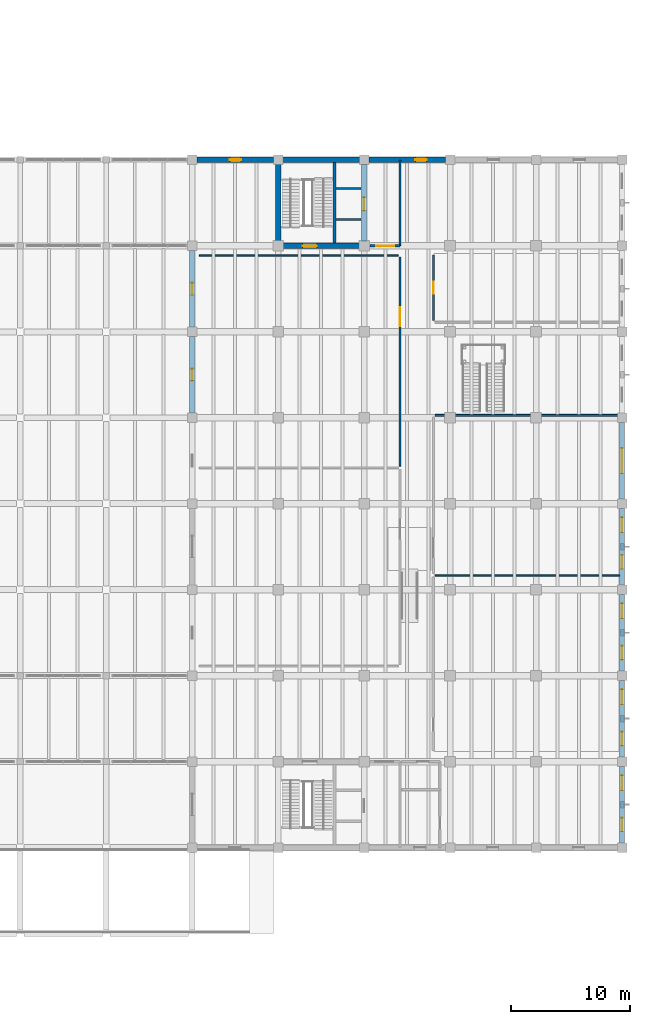
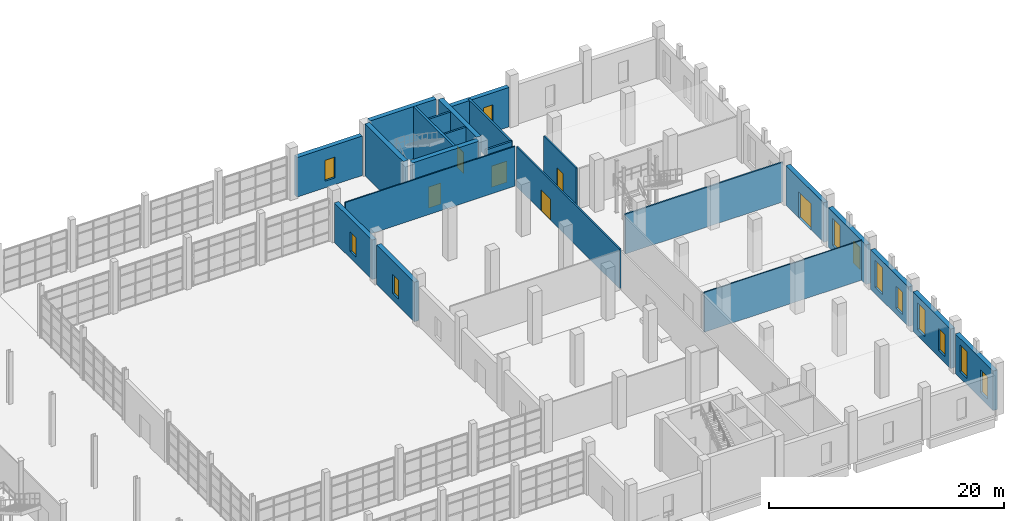
# One storey, part 71 of 79: 23 walls, 12 windows, 6 doors, 18 openings.
"""IFC4 building model written with IfcOpenShell, lengths in metres."""

from ifc_helpers import new_model, si_unit, direction, frame, frame_2d, origin, place, context, subcontext, project, spatial, rectangle, extrude, material, layer, layer_set, type_object, element, fill, save


model = new_model("IFC4")

# Units and contexts
model_context = context("Model", 3, precision=1e-05, world=origin(), true_north=direction((0.0, 1.0)))
body_context = subcontext(model_context, "Body", "Model", "MODEL_VIEW")
ifc_project = project(units=[si_unit("LENGTHUNIT", "METRE"), si_unit("AREAUNIT", "SQUARE_METRE"), si_unit("VOLUMEUNIT", "CUBIC_METRE"), si_unit("PLANEANGLEUNIT", "RADIAN"), si_unit("MASSUNIT", "GRAM", prefix="KILO")], contexts=[model_context])

# Site, building, storey
site_placement = place(None, origin())
site = spatial("IfcSite", under=ifc_project, at=site_placement, CompositionType="ELEMENT")
building_placement = place(site_placement, origin())
building = spatial("IfcBuilding", under=site, at=building_placement, Name="Qiaolan Assembly House", CompositionType="ELEMENT")
storey_placement = place(building_placement, origin())
storey = spatial("IfcBuildingStorey", under=building, at=storey_placement, Name="L00", CompositionType="ELEMENT", Elevation=0.0)

# Wall, opening, door
ifc_material_1 = material(Name="Concrete C50/60", Category="concrete")
ifc_layer_1 = layer(ifc_material_1, 0.449951171875)
ifc_layer_set_1 = layer_set([ifc_layer_1], Name="Concrete C50/60")
wall_type_1 = type_object("IfcWallType", Name="WAL-CORE-450", PredefinedType="SHEAR", material=ifc_layer_set_1)
wall_1_placement = place(storey_placement, frame((144.35009765625, 79.199951171875, 0.0), z_axis=(0.0, 0.0, 1.0), x_axis=(1.0, 0.0, 0.0)))
wall_1 = element("IfcWall", 1, at=wall_1_placement, inside=storey, type_object=wall_type_1, Name="CW-450 shear core wall CORE-F S L00", PredefinedType="SHEAR", context=body_context, shape_type="SweptSolid", body=[
    extrude(rectangle(XDim=6.5, YDim=0.449951171875, at=frame_2d((3.25, 0.0))), origin(), (0.0, 0.0, 1.0), 5.39990234375),
])
opening_1_placement = place(wall_1_placement, frame((1.699951171875, 0.0, 0.0)))
opening_1 = element("IfcOpeningElement", 2, at=opening_1_placement, cuts=wall_1, Name="Opening FD-127", PredefinedType="OPENING", context=body_context, shape_type="SweptSolid", body=[
    extrude(rectangle(XDim=1.199951171875, YDim=2.199951171875, at=frame_2d((0.60009765625, 1.10009765625))), frame((0.0, 0.23486328125, 0.0), z_axis=(0.0, -1.0, 0.0), x_axis=(1.0, 0.0, 0.0)), (0.0, 0.0, 1.0), 0.469970703125),
])
ifc_material_2 = material(Name="Steel Q355B", Category="steel")
door_type_1 = type_object("IfcDoorType", Name="DOR-FIRE-FD90-1200", OperationType="NOTDEFINED", PredefinedType="DOOR", material=ifc_material_2)
door_1_placement = place(opening_1_placement, frame((1.199951171875, 0.0, 0.0), z_axis=(0.0, 0.0, 1.0), x_axis=(-1.0, 0.0, 0.0)))
door_1 = element("IfcDoor", 3, at=door_1_placement, inside=storey, type_object=door_type_1, Name="Stairwell fire door FD-127 (CORE-F L00)", OperationType="SINGLE_SWING_LEFT", OverallHeight=2.199951171875, OverallWidth=1.199951171875, PredefinedType="DOOR", context=body_context, shape_type="SweptSolid", body=[
    extrude(rectangle(XDim=1.199951171875, YDim=2.199951171875, at=frame_2d((0.60009765625, 1.10009765625))), frame((0.0, 0.02490234375, 0.0), z_axis=(0.0, -1.0, 0.0), x_axis=(1.0, 0.0, 0.0)), (0.0, 0.0, 1.0), 0.050048828125),
])
fill(opening_1, door_1)

wall_2_placement = place(storey_placement, frame((151.199951171875, 79.550048828125, 0.0), z_axis=(0.0, 0.0, 1.0), x_axis=(0.0, 1.0, 0.0)))
wall_2 = element("IfcWall", 4, at=wall_2_placement, inside=storey, type_object=wall_type_1, Name="CW-450 shear core wall CORE-F E L00", PredefinedType="SHEAR", context=body_context, shape_type="SweptSolid", body=[
    extrude(rectangle(XDim=6.5, YDim=0.449951171875, at=frame_2d((3.25, 0.0))), origin(), (0.0, 0.0, 1.0), 5.39990234375),
])
opening_2_placement = place(wall_2_placement, frame((2.60009765625, 0.0, 0.0)))
opening_2 = element("IfcOpeningElement", 5, at=opening_2_placement, cuts=wall_2, Name="Opening LD-070", PredefinedType="OPENING", context=body_context, shape_type="SweptSolid", body=[
    extrude(rectangle(XDim=1.10009765625, YDim=2.199951171875, at=frame_2d((0.550048828125, 1.10009765625))), frame((0.0, 0.23486328125, 0.0), z_axis=(0.0, -1.0, 0.0), x_axis=(1.0, 0.0, 0.0)), (0.0, 0.0, 1.0), 0.469970703125),
])
ifc_material_3 = material(Name="Anodised bronze aluminium", Category="aluminium")
door_type_2 = type_object("IfcDoorType", Name="DOR-LIFT-LD1100", OperationType="SLIDING_TO_LEFT", PredefinedType="DOOR", material=ifc_material_3)
door_2_placement = place(opening_2_placement, origin())
door_2 = element("IfcDoor", 6, at=door_2_placement, inside=storey, type_object=door_type_2, Name="Lift landing door LD-070 (LF-10 L00)", OperationType="SLIDING_TO_LEFT", OverallHeight=2.199951171875, OverallWidth=1.10009765625, PredefinedType="DOOR", context=body_context, shape_type="SweptSolid", body=[
    extrude(rectangle(XDim=1.10009765625, YDim=2.199951171875, at=frame_2d((0.550048828125, 1.10009765625))), frame((0.0, 0.02490234375, 0.0), z_axis=(0.0, -1.0, 0.0), x_axis=(1.0, 0.0, 0.0)), (0.0, 0.0, 1.0), 0.050048828125),
])
fill(opening_2, door_2)

# Walls
for number, where, z_axis, x_axis, name in (
    (7, (150.85009765625, 86.39990234375, 0.0), (0.0, 0.0, 1.0), (-1.0, 0.0, 0.0), "CW-450 shear core wall CORE-F N L00"),
    (8, (144.0, 86.050048828125, 0.0), (0.0, 0.0, 1.0), (0.0, -1.0, 0.0), "CW-450 shear core wall CORE-F W L00"),
):
    element("IfcWall", number, at=place(storey_placement, frame(where, z_axis=z_axis, x_axis=x_axis)), inside=storey, type_object=wall_type_1, Name=name, PredefinedType="SHEAR", context=body_context, shape_type="SweptSolid", body=[
        extrude(rectangle(XDim=6.5, YDim=0.449951171875, at=frame_2d((3.25, 0.0))), origin(), (0.0, 0.0, 1.0), 5.39990234375),
    ])

# Wall, openings, windows
ifc_material_4 = material(Name="Honed pale limestone", Category="masonry")
ifc_layer_2 = layer(ifc_material_4, 0.43505859375)
ifc_layer_set_2 = layer_set([ifc_layer_2], Name="Honed pale limestone")
wall_type_2 = type_object("IfcWallType", Name="WAL-EXT-RUSTIC-420", PredefinedType="SOLIDWALL", material=ifc_layer_set_2)
wall_3_placement = place(storey_placement, frame((172.800048828125, 35.60205078125, 0.0), z_axis=(0.0, 0.0, 1.0), x_axis=(0.0, -1.0, 0.0)))
wall_3 = element("IfcWall", 9, at=wall_3_placement, inside=storey, type_object=wall_type_2, Name="Library East avenue wall L00-1", PredefinedType="SOLIDWALL", context=body_context, shape_type="SweptSolid", body=[
    extrude(rectangle(XDim=6.404052734375, YDim=0.43505859375, at=frame_2d((3.2021484375, 0.0))), origin(), (0.0, 0.0, 1.0), 4.10009765625),
])
opening_3_placement = place(wall_3_placement, frame((0.751953125, 0.0, 0.64990234375)))
opening_3 = element("IfcOpeningElement", 10, at=opening_3_placement, cuts=wall_3, Name="Opening WN-400", PredefinedType="OPENING", context=body_context, shape_type="SweptSolid", body=[
    extrude(rectangle(XDim=1.25, YDim=2.800048828125, at=frame_2d((0.625, 1.39990234375))), frame((0.0, 0.2275390625, 0.0), z_axis=(0.0, -1.0, 0.0), x_axis=(1.0, 0.0, 0.0)), (0.0, 0.0, 1.0), 0.455078125),
])
opening_4_placement = place(wall_3_placement, frame((4.302001953125, 0.0, 0.64990234375)))
opening_4 = element("IfcOpeningElement", 11, at=opening_4_placement, cuts=wall_3, Name="Opening WN-401", PredefinedType="OPENING", context=body_context, shape_type="SweptSolid", body=[
    extrude(rectangle(XDim=1.14990234375, YDim=2.300048828125, at=frame_2d((0.574951171875, 1.14990234375))), frame((0.0, 0.2275390625, 0.0), z_axis=(0.0, -1.0, 0.0), x_axis=(1.0, 0.0, 0.0)), (0.0, 0.0, 1.0), 0.455078125),
])
ifc_material_5 = material(Name="Low-E double insulating glass", Category="glass")
window_type_1 = type_object("IfcWindowType", Name="WIN-LIB-1250x2800", PartitioningType="DOUBLE_PANEL_VERTICAL", PredefinedType="WINDOW", material=ifc_material_5)
window_1_placement = place(opening_3_placement, origin())
window_1 = element("IfcWindow", 12, at=window_1_placement, inside=storey, type_object=window_type_1, Name="Library reading window WN-400", OverallHeight=2.800048828125, OverallWidth=1.25, PartitioningType="DOUBLE_PANEL_VERTICAL", PredefinedType="WINDOW", context=body_context, shape_type="SweptSolid", body=[
    extrude(rectangle(XDim=1.25, YDim=2.800048828125, at=frame_2d((0.625, 1.39990234375))), frame((0.0, 0.030029296875, 0.0), z_axis=(0.0, -1.0, 0.0), x_axis=(1.0, 0.0, 0.0)), (0.0, 0.0, 1.0), 0.06005859375),
])
fill(opening_3, window_1)
window_type_2 = type_object("IfcWindowType", Name="WIN-LIB-CARREL-1150x2300", PartitioningType="SINGLE_PANEL", PredefinedType="WINDOW", material=ifc_material_5)
window_2_placement = place(opening_4_placement, origin())
window_2 = element("IfcWindow", 13, at=window_2_placement, inside=storey, type_object=window_type_2, Name="Library reading window WN-401", OverallHeight=2.300048828125, OverallWidth=1.14990234375, PartitioningType="SINGLE_PANEL", PredefinedType="WINDOW", context=body_context, shape_type="SweptSolid", body=[
    extrude(rectangle(XDim=1.14990234375, YDim=2.300048828125, at=frame_2d((0.574951171875, 1.14990234375))), frame((0.0, 0.030029296875, 0.0), z_axis=(0.0, -1.0, 0.0), x_axis=(1.0, 0.0, 0.0)), (0.0, 0.0, 1.0), 0.06005859375),
])
fill(opening_4, window_2)

wall_4_placement = place(storey_placement, frame((172.800048828125, 42.802001953125, 0.0), z_axis=(0.0, 0.0, 1.0), x_axis=(0.0, -1.0, 0.0)))
wall_4 = element("IfcWall", 14, at=wall_4_placement, inside=storey, type_object=wall_type_2, Name="Library East avenue wall L00-2", PredefinedType="SOLIDWALL", context=body_context, shape_type="SweptSolid", body=[
    extrude(rectangle(XDim=6.404052734375, YDim=0.43505859375, at=frame_2d((3.2021484375, 0.0))), origin(), (0.0, 0.0, 1.0), 4.10009765625),
])
opening_5_placement = place(wall_4_placement, frame((0.751953125, 0.0, 0.64990234375)))
opening_5 = element("IfcOpeningElement", 15, at=opening_5_placement, cuts=wall_4, Name="Opening WN-402", PredefinedType="OPENING", context=body_context, shape_type="SweptSolid", body=[
    extrude(rectangle(XDim=1.25, YDim=2.800048828125, at=frame_2d((0.625, 1.39990234375))), frame((0.0, 0.2275390625, 0.0), z_axis=(0.0, -1.0, 0.0), x_axis=(1.0, 0.0, 0.0)), (0.0, 0.0, 1.0), 0.455078125),
])
opening_6_placement = place(wall_4_placement, frame((4.302001953125, 0.0, 0.64990234375)))
opening_6 = element("IfcOpeningElement", 16, at=opening_6_placement, cuts=wall_4, Name="Opening WN-403", PredefinedType="OPENING", context=body_context, shape_type="SweptSolid", body=[
    extrude(rectangle(XDim=1.14990234375, YDim=2.300048828125, at=frame_2d((0.574951171875, 1.14990234375))), frame((0.0, 0.2275390625, 0.0), z_axis=(0.0, -1.0, 0.0), x_axis=(1.0, 0.0, 0.0)), (0.0, 0.0, 1.0), 0.455078125),
])
window_3_placement = place(opening_5_placement, origin())
window_3 = element("IfcWindow", 17, at=window_3_placement, inside=storey, type_object=window_type_1, Name="Library reading window WN-402", OverallHeight=2.800048828125, OverallWidth=1.25, PartitioningType="DOUBLE_PANEL_VERTICAL", PredefinedType="WINDOW", context=body_context, shape_type="SweptSolid", body=[
    extrude(rectangle(XDim=1.25, YDim=2.800048828125, at=frame_2d((0.625, 1.39990234375))), frame((0.0, 0.030029296875, 0.0), z_axis=(0.0, -1.0, 0.0), x_axis=(1.0, 0.0, 0.0)), (0.0, 0.0, 1.0), 0.06005859375),
])
fill(opening_5, window_3)
window_4_placement = place(opening_6_placement, origin())
window_4 = element("IfcWindow", 18, at=window_4_placement, inside=storey, type_object=window_type_2, Name="Library reading window WN-403", OverallHeight=2.300048828125, OverallWidth=1.14990234375, PartitioningType="SINGLE_PANEL", PredefinedType="WINDOW", context=body_context, shape_type="SweptSolid", body=[
    extrude(rectangle(XDim=1.14990234375, YDim=2.300048828125, at=frame_2d((0.574951171875, 1.14990234375))), frame((0.0, 0.030029296875, 0.0), z_axis=(0.0, -1.0, 0.0), x_axis=(1.0, 0.0, 0.0)), (0.0, 0.0, 1.0), 0.06005859375),
])
fill(opening_6, window_4)

wall_5_placement = place(storey_placement, frame((172.800048828125, 50.001953125, 0.0), z_axis=(0.0, 0.0, 1.0), x_axis=(0.0, -1.0, 0.0)))
wall_5 = element("IfcWall", 19, at=wall_5_placement, inside=storey, type_object=wall_type_2, Name="Library East avenue wall L00-3", PredefinedType="SOLIDWALL", context=body_context, shape_type="SweptSolid", body=[
    extrude(rectangle(XDim=6.404052734375, YDim=0.43505859375, at=frame_2d((3.2021484375, 0.0))), origin(), (0.0, 0.0, 1.0), 4.10009765625),
])
opening_7_placement = place(wall_5_placement, frame((0.751953125, 0.0, 0.64990234375)))
opening_7 = element("IfcOpeningElement", 20, at=opening_7_placement, cuts=wall_5, Name="Opening WN-404", PredefinedType="OPENING", context=body_context, shape_type="SweptSolid", body=[
    extrude(rectangle(XDim=1.25, YDim=2.800048828125, at=frame_2d((0.625, 1.39990234375))), frame((0.0, 0.2275390625, 0.0), z_axis=(0.0, -1.0, 0.0), x_axis=(1.0, 0.0, 0.0)), (0.0, 0.0, 1.0), 0.455078125),
])
opening_8_placement = place(wall_5_placement, frame((4.302001953125, 0.0, 0.64990234375)))
opening_8 = element("IfcOpeningElement", 21, at=opening_8_placement, cuts=wall_5, Name="Opening WN-405", PredefinedType="OPENING", context=body_context, shape_type="SweptSolid", body=[
    extrude(rectangle(XDim=1.14990234375, YDim=2.300048828125, at=frame_2d((0.574951171875, 1.14990234375))), frame((0.0, 0.2275390625, 0.0), z_axis=(0.0, -1.0, 0.0), x_axis=(1.0, 0.0, 0.0)), (0.0, 0.0, 1.0), 0.455078125),
])
window_5_placement = place(opening_7_placement, origin())
window_5 = element("IfcWindow", 22, at=window_5_placement, inside=storey, type_object=window_type_1, Name="Library reading window WN-404", OverallHeight=2.800048828125, OverallWidth=1.25, PartitioningType="DOUBLE_PANEL_VERTICAL", PredefinedType="WINDOW", context=body_context, shape_type="SweptSolid", body=[
    extrude(rectangle(XDim=1.25, YDim=2.800048828125, at=frame_2d((0.625, 1.39990234375))), frame((0.0, 0.030029296875, 0.0), z_axis=(0.0, -1.0, 0.0), x_axis=(1.0, 0.0, 0.0)), (0.0, 0.0, 1.0), 0.06005859375),
])
fill(opening_7, window_5)
window_6_placement = place(opening_8_placement, origin())
window_6 = element("IfcWindow", 23, at=window_6_placement, inside=storey, type_object=window_type_2, Name="Library reading window WN-405", OverallHeight=2.300048828125, OverallWidth=1.14990234375, PartitioningType="SINGLE_PANEL", PredefinedType="WINDOW", context=body_context, shape_type="SweptSolid", body=[
    extrude(rectangle(XDim=1.14990234375, YDim=2.300048828125, at=frame_2d((0.574951171875, 1.14990234375))), frame((0.0, 0.030029296875, 0.0), z_axis=(0.0, -1.0, 0.0), x_axis=(1.0, 0.0, 0.0)), (0.0, 0.0, 1.0), 0.06005859375),
])
fill(opening_8, window_6)

wall_6_placement = place(storey_placement, frame((172.800048828125, 57.201904296875, 0.0), z_axis=(0.0, 0.0, 1.0), x_axis=(0.0, -1.0, 0.0)))
wall_6 = element("IfcWall", 24, at=wall_6_placement, inside=storey, type_object=wall_type_2, Name="Library East avenue wall L00-4", PredefinedType="SOLIDWALL", context=body_context, shape_type="SweptSolid", body=[
    extrude(rectangle(XDim=6.40380859375, YDim=0.43505859375, at=frame_2d((3.201904296875, 0.0))), origin(), (0.0, 0.0, 1.0), 4.10009765625),
])
opening_9_placement = place(wall_6_placement, frame((0.751953125, 0.0, 0.64990234375)))
opening_9 = element("IfcOpeningElement", 25, at=opening_9_placement, cuts=wall_6, Name="Opening WN-407", PredefinedType="OPENING", context=body_context, shape_type="SweptSolid", body=[
    extrude(rectangle(XDim=1.25, YDim=2.800048828125, at=frame_2d((0.625, 1.39990234375))), frame((0.0, 0.2275390625, 0.0), z_axis=(0.0, -1.0, 0.0), x_axis=(1.0, 0.0, 0.0)), (0.0, 0.0, 1.0), 0.455078125),
])
opening_10_placement = place(wall_6_placement, frame((3.91455078125, 0.0, 0.64990234375)))
opening_10 = element("IfcOpeningElement", 26, at=opening_10_placement, cuts=wall_6, Name="Opening WN-408", PredefinedType="OPENING", context=body_context, shape_type="SweptSolid", body=[
    extrude(rectangle(XDim=1.14990234375, YDim=2.300048828125, at=frame_2d((0.574951171875, 1.14990234375))), frame((0.0, 0.2275390625, 0.0), z_axis=(0.0, -1.0, 0.0), x_axis=(1.0, 0.0, 0.0)), (0.0, 0.0, 1.0), 0.455078125),
])
window_7_placement = place(opening_9_placement, origin())
window_7 = element("IfcWindow", 27, at=window_7_placement, inside=storey, type_object=window_type_1, Name="Library reading window WN-407", OverallHeight=2.800048828125, OverallWidth=1.25, PartitioningType="DOUBLE_PANEL_VERTICAL", PredefinedType="WINDOW", context=body_context, shape_type="SweptSolid", body=[
    extrude(rectangle(XDim=1.25, YDim=2.800048828125, at=frame_2d((0.625, 1.39990234375))), frame((0.0, 0.030029296875, 0.0), z_axis=(0.0, -1.0, 0.0), x_axis=(1.0, 0.0, 0.0)), (0.0, 0.0, 1.0), 0.06005859375),
])
fill(opening_9, window_7)
window_8_placement = place(opening_10_placement, origin())
window_8 = element("IfcWindow", 28, at=window_8_placement, inside=storey, type_object=window_type_2, Name="Library reading window WN-408", OverallHeight=2.300048828125, OverallWidth=1.14990234375, PartitioningType="SINGLE_PANEL", PredefinedType="WINDOW", context=body_context, shape_type="SweptSolid", body=[
    extrude(rectangle(XDim=1.14990234375, YDim=2.300048828125, at=frame_2d((0.574951171875, 1.14990234375))), frame((0.0, 0.030029296875, 0.0), z_axis=(0.0, -1.0, 0.0), x_axis=(1.0, 0.0, 0.0)), (0.0, 0.0, 1.0), 0.06005859375),
])
fill(opening_10, window_8)

# Wall, opening, door
wall_7_placement = place(storey_placement, frame((172.800048828125, 64.402099609375, 0.0), z_axis=(0.0, 0.0, 1.0), x_axis=(0.0, -1.0, 0.0)))
wall_7 = element("IfcWall", 29, at=wall_7_placement, inside=storey, type_object=wall_type_2, Name="Library East avenue wall L00-5", PredefinedType="SOLIDWALL", context=body_context, shape_type="SweptSolid", body=[
    extrude(rectangle(XDim=6.404052734375, YDim=0.43505859375, at=frame_2d((3.2021484375, 0.0))), origin(), (0.0, 0.0, 1.0), 4.10009765625),
])
opening_11_placement = place(wall_7_placement, frame((2.152099609375, 0.0, 0.0)))
opening_11 = element("IfcOpeningElement", 30, at=opening_11_placement, cuts=wall_7, Name="Opening ED-031", PredefinedType="OPENING", context=body_context, shape_type="SweptSolid", body=[
    extrude(rectangle(XDim=2.10009765625, YDim=2.699951171875, at=frame_2d((1.050048828125, 1.35009765625))), frame((0.0, 0.2275390625, 0.0), z_axis=(0.0, -1.0, 0.0), x_axis=(1.0, 0.0, 0.0)), (0.0, 0.0, 1.0), 0.455078125),
])
door_type_3 = type_object("IfcDoorType", Name="DOR-ENTRY-LIB-2100", OperationType="DOUBLE_DOOR_SINGLE_SWING", PredefinedType="DOOR", material=ifc_material_3)
door_3_placement = place(opening_11_placement, frame((2.10009765625, 0.0, 0.0), z_axis=(0.0, 0.0, 1.0), x_axis=(-1.0, 0.0, 0.0)))
door_3 = element("IfcDoor", 31, at=door_3_placement, inside=storey, type_object=door_type_3, Name="East Avenue Members' Library entrance ED-031", OperationType="DOUBLE_DOOR_SINGLE_SWING", OverallHeight=2.699951171875, OverallWidth=2.10009765625, PredefinedType="DOOR", context=body_context, shape_type="SweptSolid", body=[
    extrude(rectangle(XDim=2.10009765625, YDim=2.699951171875, at=frame_2d((1.050048828125, 1.35009765625))), frame((0.0, 0.02490234375, 0.0), z_axis=(0.0, -1.0, 0.0), x_axis=(1.0, 0.0, 0.0)), (0.0, 0.0, 1.0), 0.050048828125),
])
fill(opening_11, door_3)

# Wall, opening, window
wall_8_placement = place(storey_placement, frame((136.800048828125, 65.197998046875, 0.0), z_axis=(0.0, 0.0, 1.0), x_axis=(0.0, 1.0, 0.0)))
wall_8 = element("IfcWall", 32, at=wall_8_placement, inside=storey, type_object=wall_type_2, Name="Library West court wall L00-6", PredefinedType="SOLIDWALL", context=body_context, shape_type="SweptSolid", body=[
    extrude(rectangle(XDim=6.404052734375, YDim=0.43505859375, at=frame_2d((3.2021484375, 0.0))), origin(), (0.0, 0.0, 1.0), 4.10009765625),
])
opening_12_placement = place(wall_8_placement, frame((2.701904296875, 0.0, 0.699951171875)))
opening_12 = element("IfcOpeningElement", 33, at=opening_12_placement, cuts=wall_8, Name="Opening WN-412", PredefinedType="OPENING", context=body_context, shape_type="SweptSolid", body=[
    extrude(rectangle(XDim=1.0, YDim=2.0, at=frame_2d((0.5, 1.0))), frame((0.0, 0.2275390625, 0.0), z_axis=(0.0, -1.0, 0.0), x_axis=(1.0, 0.0, 0.0)), (0.0, 0.0, 1.0), 0.455078125),
])
window_type_3 = type_object("IfcWindowType", Name="WIN-LIB-ARCH-1000x2000", PartitioningType="SINGLE_PANEL", PredefinedType="WINDOW", material=ifc_material_5)
window_9_placement = place(opening_12_placement, origin())
window_9 = element("IfcWindow", 34, at=window_9_placement, inside=storey, type_object=window_type_3, Name="Library courtyard window WN-412", OverallHeight=2.0, OverallWidth=1.0, PartitioningType="SINGLE_PANEL", PredefinedType="WINDOW", context=body_context, shape_type="SweptSolid", body=[
    extrude(rectangle(XDim=1.0, YDim=2.0, at=frame_2d((0.5, 1.0))), frame((0.0, 0.030029296875, 0.0), z_axis=(0.0, -1.0, 0.0), x_axis=(1.0, 0.0, 0.0)), (0.0, 0.0, 1.0), 0.06005859375),
])
fill(opening_12, window_9)

wall_9_placement = place(storey_placement, frame((136.800048828125, 72.39794921875, 0.0), z_axis=(0.0, 0.0, 1.0), x_axis=(0.0, 1.0, 0.0)))
wall_9 = element("IfcWall", 35, at=wall_9_placement, inside=storey, type_object=wall_type_2, Name="Library West court wall L00-7", PredefinedType="SOLIDWALL", context=body_context, shape_type="SweptSolid", body=[
    extrude(rectangle(XDim=6.404052734375, YDim=0.43505859375, at=frame_2d((3.2021484375, 0.0))), origin(), (0.0, 0.0, 1.0), 4.10009765625),
])
opening_13_placement = place(wall_9_placement, frame((2.701904296875, 0.0, 0.699951171875)))
opening_13 = element("IfcOpeningElement", 36, at=opening_13_placement, cuts=wall_9, Name="Opening WN-415", PredefinedType="OPENING", context=body_context, shape_type="SweptSolid", body=[
    extrude(rectangle(XDim=1.0, YDim=2.0, at=frame_2d((0.5, 1.0))), frame((0.0, 0.2275390625, 0.0), z_axis=(0.0, -1.0, 0.0), x_axis=(1.0, 0.0, 0.0)), (0.0, 0.0, 1.0), 0.455078125),
])
window_10_placement = place(opening_13_placement, origin())
window_10 = element("IfcWindow", 37, at=window_10_placement, inside=storey, type_object=window_type_3, Name="Library courtyard window WN-415", OverallHeight=2.0, OverallWidth=1.0, PartitioningType="SINGLE_PANEL", PredefinedType="WINDOW", context=body_context, shape_type="SweptSolid", body=[
    extrude(rectangle(XDim=1.0, YDim=2.0, at=frame_2d((0.5, 1.0))), frame((0.0, 0.030029296875, 0.0), z_axis=(0.0, -1.0, 0.0), x_axis=(1.0, 0.0, 0.0)), (0.0, 0.0, 1.0), 0.06005859375),
])
fill(opening_13, window_10)

wall_10_placement = place(storey_placement, frame((143.60205078125, 86.39990234375, 0.0), z_axis=(0.0, 0.0, 1.0), x_axis=(-1.0, 0.0, 0.0)))
wall_10 = element("IfcWall", 38, at=wall_10_placement, inside=storey, type_object=wall_type_2, Name="Library North wall L00-1", PredefinedType="SOLIDWALL", context=body_context, shape_type="SweptSolid", body=[
    extrude(rectangle(XDim=6.404052734375, YDim=0.43505859375, at=frame_2d((3.2021484375, 0.0))), origin(), (0.0, 0.0, 1.0), 4.10009765625),
])
opening_14_placement = place(wall_10_placement, frame((2.701904296875, 0.0, 0.699951171875)))
opening_14 = element("IfcOpeningElement", 39, at=opening_14_placement, cuts=wall_10, Name="Opening WN-419", PredefinedType="OPENING", context=body_context, shape_type="SweptSolid", body=[
    extrude(rectangle(XDim=0.949951171875, YDim=2.14990234375, at=frame_2d((0.47509765625, 1.074951171875))), frame((0.0, 0.2275390625, 0.0), z_axis=(0.0, -1.0, 0.0), x_axis=(1.0, 0.0, 0.0)), (0.0, 0.0, 1.0), 0.455078125),
])
window_type_4 = type_object("IfcWindowType", Name="WIN-PUNCH-950x2150", PartitioningType="SINGLE_PANEL", PredefinedType="WINDOW", material=ifc_material_5)
window_11_placement = place(opening_14_placement, origin())
window_11 = element("IfcWindow", 40, at=window_11_placement, inside=storey, type_object=window_type_4, Name="Library North window WN-419", OverallHeight=2.14990234375, OverallWidth=0.949951171875, PartitioningType="SINGLE_PANEL", PredefinedType="WINDOW", context=body_context, shape_type="SweptSolid", body=[
    extrude(rectangle(XDim=0.949951171875, YDim=2.14990234375, at=frame_2d((0.47509765625, 1.074951171875))), frame((0.0, 0.030029296875, 0.0), z_axis=(0.0, -1.0, 0.0), x_axis=(1.0, 0.0, 0.0)), (0.0, 0.0, 1.0), 0.06005859375),
])
fill(opening_14, window_11)

wall_11_placement = place(storey_placement, frame((158.001953125, 86.39990234375, 0.0), z_axis=(0.0, 0.0, 1.0), x_axis=(-1.0, 0.0, 0.0)))
wall_11 = element("IfcWall", 41, at=wall_11_placement, inside=storey, type_object=wall_type_2, Name="Library North wall L00-3", PredefinedType="SOLIDWALL", context=body_context, shape_type="SweptSolid", body=[
    extrude(rectangle(XDim=6.404052734375, YDim=0.43505859375, at=frame_2d((3.2021484375, 0.0))), origin(), (0.0, 0.0, 1.0), 4.10009765625),
])
opening_15_placement = place(wall_11_placement, frame((1.571044921875, 0.0, 0.699951171875)))
opening_15 = element("IfcOpeningElement", 42, at=opening_15_placement, cuts=wall_11, Name="Opening WN-421", PredefinedType="OPENING", context=body_context, shape_type="SweptSolid", body=[
    extrude(rectangle(XDim=0.949951171875, YDim=2.14990234375, at=frame_2d((0.47509765625, 1.074951171875))), frame((0.0, 0.2275390625, 0.0), z_axis=(0.0, -1.0, 0.0), x_axis=(1.0, 0.0, 0.0)), (0.0, 0.0, 1.0), 0.455078125),
])
window_12_placement = place(opening_15_placement, origin())
window_12 = element("IfcWindow", 43, at=window_12_placement, inside=storey, type_object=window_type_4, Name="Library North window WN-421", OverallHeight=2.14990234375, OverallWidth=0.949951171875, PartitioningType="SINGLE_PANEL", PredefinedType="WINDOW", context=body_context, shape_type="SweptSolid", body=[
    extrude(rectangle(XDim=0.949951171875, YDim=2.14990234375, at=frame_2d((0.47509765625, 1.074951171875))), frame((0.0, 0.030029296875, 0.0), z_axis=(0.0, -1.0, 0.0), x_axis=(1.0, 0.0, 0.0)), (0.0, 0.0, 1.0), 0.06005859375),
])
fill(opening_15, window_12)

# Wall
ifc_material_6 = material(Name="Concrete C35/45", Category="concrete")
ifc_layer_3 = layer(ifc_material_6, 0.199951171875)
ifc_layer_set_3 = layer_set([ifc_layer_3], Name="Concrete C35/45")
wall_type_3 = type_object("IfcWallType", Name="WAL-LOBBY-200", PredefinedType="PARTITIONING", material=ifc_layer_set_3)
wall_12_placement = place(storey_placement, frame((154.199951171875, 79.199951171875, 0.0), z_axis=(0.0, 0.0, 1.0), x_axis=(0.0, 1.0, 0.0)))
element("IfcWall", 44, at=wall_12_placement, inside=storey, type_object=wall_type_3, Name="Firefighting lift lobby east wall CORE-F L00", PredefinedType="PARTITIONING", context=body_context, shape_type="SweptSolid", body=[
    extrude(rectangle(XDim=7.199951171875, YDim=0.199951171875, at=frame_2d((3.60009765625, 0.0))), origin(), (0.0, 0.0, 1.0), 4.1201171875),
])

# Wall, opening, door
wall_13_placement = place(storey_placement, frame((151.679931640625, 79.199951171875, 0.0), z_axis=(0.0, 0.0, 1.0), x_axis=(1.0, 0.0, 0.0)))
wall_13 = element("IfcWall", 45, at=wall_13_placement, inside=storey, type_object=wall_type_3, Name="Firefighting lift lobby south wall CORE-F L00", PredefinedType="PARTITIONING", context=body_context, shape_type="SweptSolid", body=[
    extrude(rectangle(XDim=2.52001953125, YDim=0.199951171875, at=frame_2d((1.260009765625, 0.0))), origin(), (0.0, 0.0, 1.0), 4.1201171875),
])
opening_16_placement = place(wall_13_placement, frame((0.550048828125, 0.0, 0.0)))
opening_16 = element("IfcOpeningElement", 46, at=opening_16_placement, cuts=wall_13, Name="Opening FD-128", PredefinedType="OPENING", context=body_context, shape_type="SweptSolid", body=[
    extrude(rectangle(XDim=1.5, YDim=2.199951171875, at=frame_2d((0.75, 1.10009765625))), frame((0.0, 0.10986328125, 0.0), z_axis=(0.0, -1.0, 0.0), x_axis=(1.0, 0.0, 0.0)), (0.0, 0.0, 1.0), 0.219970703125),
])
ifc_material_7 = material(Name="Acoustic oak panelling")
door_type_4 = type_object("IfcDoorType", Name="DOR-LOBBY-FD60-1500", OperationType="DOUBLE_DOOR_SINGLE_SWING", PredefinedType="DOOR", material=ifc_material_7)
door_4_placement = place(opening_16_placement, frame((1.5, 0.0, 0.0), z_axis=(0.0, 0.0, 1.0), x_axis=(-1.0, 0.0, 0.0)))
door_4 = element("IfcDoor", 47, at=door_4_placement, inside=storey, type_object=door_type_4, Name="Lobby corridor fire door FD-128", OperationType="DOUBLE_DOOR_SINGLE_SWING", OverallHeight=2.199951171875, OverallWidth=1.5, PredefinedType="DOOR", context=body_context, shape_type="SweptSolid", body=[
    extrude(rectangle(XDim=1.5, YDim=2.199951171875, at=frame_2d((0.75, 1.10009765625))), frame((0.0, 0.02490234375, 0.0), z_axis=(0.0, -1.0, 0.0), x_axis=(1.0, 0.0, 0.0)), (0.0, 0.0, 1.0), 0.050048828125),
])
fill(opening_16, door_4)

# Walls
ifc_material_8 = material(Name="Gypsum plasterboard partition")
ifc_layer_4 = layer(ifc_material_8, 0.1201171875)
ifc_layer_set_4 = layer_set([ifc_layer_4], Name="Gypsum plasterboard partition")
wall_type_4 = type_object("IfcWallType", Name="WAL-PART-120", PredefinedType="PARTITIONING", material=ifc_layer_set_4)
wall_14_placement = place(storey_placement, frame((137.39990234375, 78.39990234375, 0.0), z_axis=(0.0, 0.0, 1.0), x_axis=(1.0, 0.0, 0.0)))
element("IfcWall", 48, at=wall_14_placement, inside=storey, type_object=wall_type_4, Name="Municipal Legal Reference Stacks L00 end wall", PredefinedType="PARTITIONING", context=body_context, shape_type="SweptSolid", body=[
    extrude(rectangle(XDim=16.650146484375, YDim=0.1201171875, at=frame_2d((8.3251953125, 0.0))), origin(), (0.0, 0.0, 1.0), 4.1201171875),
])
wall_15_placement = place(storey_placement, frame((157.14990234375, 51.60009765625, 0.0), z_axis=(0.0, 0.0, 1.0), x_axis=(1.0, 0.0, 0.0)))
element("IfcWall", 49, at=wall_15_placement, inside=storey, type_object=wall_type_4, Name="Civic Gazetteer & Periodicals Reading Hall demising wall", PredefinedType="PARTITIONING", context=body_context, shape_type="SweptSolid", body=[
    extrude(rectangle(XDim=15.47021484375, YDim=0.1201171875, at=frame_2d((7.735107421875, 0.0))), origin(), (0.0, 0.0, 1.0), 4.1201171875),
])

# Wall, opening, door
ifc_layer_5 = layer(ifc_material_8, 0.14990234375)
ifc_layer_set_5 = layer_set([ifc_layer_5], Name="Gypsum plasterboard partition")
wall_type_5 = type_object("IfcWallType", Name="WAL-PART-150", PredefinedType="PARTITIONING", material=ifc_layer_set_5)
wall_16_placement = place(storey_placement, frame((154.199951171875, 78.25, 0.0), z_axis=(0.0, 0.0, 1.0), x_axis=(0.0, -1.0, 0.0)))
wall_16 = element("IfcWall", 50, at=wall_16_placement, inside=storey, type_object=wall_type_5, Name="Municipal Legal Reference Stacks L00 corridor wall", PredefinedType="PARTITIONING", context=body_context, shape_type="SweptSolid", body=[
    extrude(rectangle(XDim=17.5, YDim=0.14990234375, at=frame_2d((8.75, 0.0))), origin(), (0.0, 0.0, 1.0), 4.1201171875),
])
opening_17_placement = place(wall_16_placement, frame((4.199951171875, 0.0, 0.0)))
opening_17 = element("IfcOpeningElement", 51, at=opening_17_placement, cuts=wall_16, Name="Opening MD-275", PredefinedType="OPENING", context=body_context, shape_type="SweptSolid", body=[
    extrude(rectangle(XDim=1.60009765625, YDim=2.199951171875, at=frame_2d((0.800048828125, 1.10009765625))), frame((0.0, 0.0849609375, 0.0), z_axis=(0.0, -1.0, 0.0), x_axis=(1.0, 0.0, 0.0)), (0.0, 0.0, 1.0), 0.169921875),
])
door_type_5 = type_object("IfcDoorType", Name="DOR-COMM-DBL-1600", OperationType="DOUBLE_DOOR_SINGLE_SWING", PredefinedType="DOOR", material=ifc_material_7)
door_5_placement = place(opening_17_placement, origin())
door_5 = element("IfcDoor", 52, at=door_5_placement, inside=storey, type_object=door_type_5, Name="Municipal Legal Reference Stacks L00 door MD-275", OperationType="DOUBLE_DOOR_SINGLE_SWING", OverallHeight=2.199951171875, OverallWidth=1.60009765625, PredefinedType="DOOR", context=body_context, shape_type="SweptSolid", body=[
    extrude(rectangle(XDim=1.60009765625, YDim=2.199951171875, at=frame_2d((0.800048828125, 1.10009765625))), frame((0.0, 0.02490234375, 0.0), z_axis=(0.0, -1.0, 0.0), x_axis=(1.0, 0.0, 0.0)), (0.0, 0.0, 1.0), 0.050048828125),
])
fill(opening_17, door_5)

wall_17_placement = place(storey_placement, frame((157.0, 72.949951171875, 0.0), z_axis=(0.0, 0.0, 1.0), x_axis=(0.0, 1.0, 0.0)))
wall_17 = element("IfcWall", 53, at=wall_17_placement, inside=storey, type_object=wall_type_5, Name="Cataloguing, Acquisition & Bindery Workshop corridor wall", PredefinedType="PARTITIONING", context=body_context, shape_type="SweptSolid", body=[
    extrude(rectangle(XDim=5.5, YDim=0.14990234375, at=frame_2d((2.75, 0.0))), origin(), (0.0, 0.0, 1.0), 4.1201171875),
])
opening_18_placement = place(wall_17_placement, frame((2.25, 0.0, 0.0)))
opening_18 = element("IfcOpeningElement", 54, at=opening_18_placement, cuts=wall_17, Name="Opening MD-278", PredefinedType="OPENING", context=body_context, shape_type="SweptSolid", body=[
    extrude(rectangle(XDim=1.0, YDim=2.199951171875, at=frame_2d((0.5, 1.10009765625))), frame((0.0, 0.0849609375, 0.0), z_axis=(0.0, -1.0, 0.0), x_axis=(1.0, 0.0, 0.0)), (0.0, 0.0, 1.0), 0.169921875),
])
door_type_6 = type_object("IfcDoorType", Name="DOR-OFF-SGL-1000", OperationType="NOTDEFINED", PredefinedType="DOOR", material=ifc_material_7)
door_6_placement = place(opening_18_placement, origin())
door_6 = element("IfcDoor", 55, at=door_6_placement, inside=storey, type_object=door_type_6, Name="Cataloguing, Acquisition & Bindery Workshop door MD-278", OperationType="SINGLE_SWING_LEFT", OverallHeight=2.199951171875, OverallWidth=1.0, PredefinedType="DOOR", context=body_context, shape_type="SweptSolid", body=[
    extrude(rectangle(XDim=1.0, YDim=2.199951171875, at=frame_2d((0.5, 1.10009765625))), frame((0.0, 0.02490234375, 0.0), z_axis=(0.0, -1.0, 0.0), x_axis=(1.0, 0.0, 0.0)), (0.0, 0.0, 1.0), 0.050048828125),
])
fill(opening_18, door_6)

# Walls
wall_18_placement = place(storey_placement, frame((157.14990234375, 65.0, 0.0), z_axis=(0.0, 0.0, 1.0), x_axis=(1.0, 0.0, 0.0)))
element("IfcWall", 56, at=wall_18_placement, inside=storey, type_object=wall_type_5, Name="Reading well south wall", PredefinedType="PARTITIONING", context=body_context, shape_type="SweptSolid", body=[
    extrude(rectangle(XDim=15.47021484375, YDim=0.14990234375, at=frame_2d((7.735107421875, 0.0))), origin(), (0.0, 0.0, 1.0), 4.1201171875),
])
ifc_layer_6 = layer(ifc_material_6, 0.18505859375)
ifc_layer_set_6 = layer_set([ifc_layer_6], Name="Concrete C35/45")
wall_type_6 = type_object("IfcWallType", Name="WAL-SHAFT-200", PredefinedType="PARTITIONING", material=ifc_layer_set_6)
for number, where, z_axis, x_axis, name in (
    (57, (148.85009765625, 81.39990234375, 0.0), (0.0, 0.0, 1.0), (1.0, 0.0, 0.0), "SW-200 lift shaft wall LF-10 L00 DIVS"),
    (58, (148.85009765625, 84.0, 0.0), (0.0, 0.0, 1.0), (1.0, 0.0, 0.0), "SW-200 lift shaft wall LF-10 L00 DIVN"),
):
    element("IfcWall", number, at=place(storey_placement, frame(where, z_axis=z_axis, x_axis=x_axis)), inside=storey, type_object=wall_type_6, Name=name, PredefinedType="PARTITIONING", context=body_context, shape_type="SweptSolid", body=[
        extrude(rectangle(XDim=2.099853515625, YDim=0.18505859375, at=frame_2d((1.0498046875, 0.0))), origin(), (0.0, 0.0, 1.0), 5.39990234375),
    ])
ifc_material_9 = material(Name="Concrete C40/50", Category="concrete")
ifc_layer_7 = layer(ifc_material_9, 0.22509765625)
ifc_layer_set_7 = layer_set([ifc_layer_7], Name="Concrete C40/50")
wall_type_7 = type_object("IfcWallType", Name="WAL-STAIR-DIV-225", PredefinedType="SHEAR", material=ifc_layer_set_7)
wall_19_placement = place(storey_placement, frame((148.719970703125, 79.419921875, 0.0), z_axis=(0.0, 0.0, 1.0), x_axis=(0.0, 1.0, 0.0)))
element("IfcWall", 59, at=wall_19_placement, inside=storey, type_object=wall_type_7, Name="SDW-225 stairwell structural spine wall CORE-F L00", PredefinedType="SHEAR", context=body_context, shape_type="SweptSolid", body=[
    extrude(rectangle(XDim=6.760009765625, YDim=0.22509765625, at=frame_2d((3.3798828125, 0.0))), origin(), (0.0, 0.0, 1.0), 5.39990234375),
])

save(model, "model.ifc")
